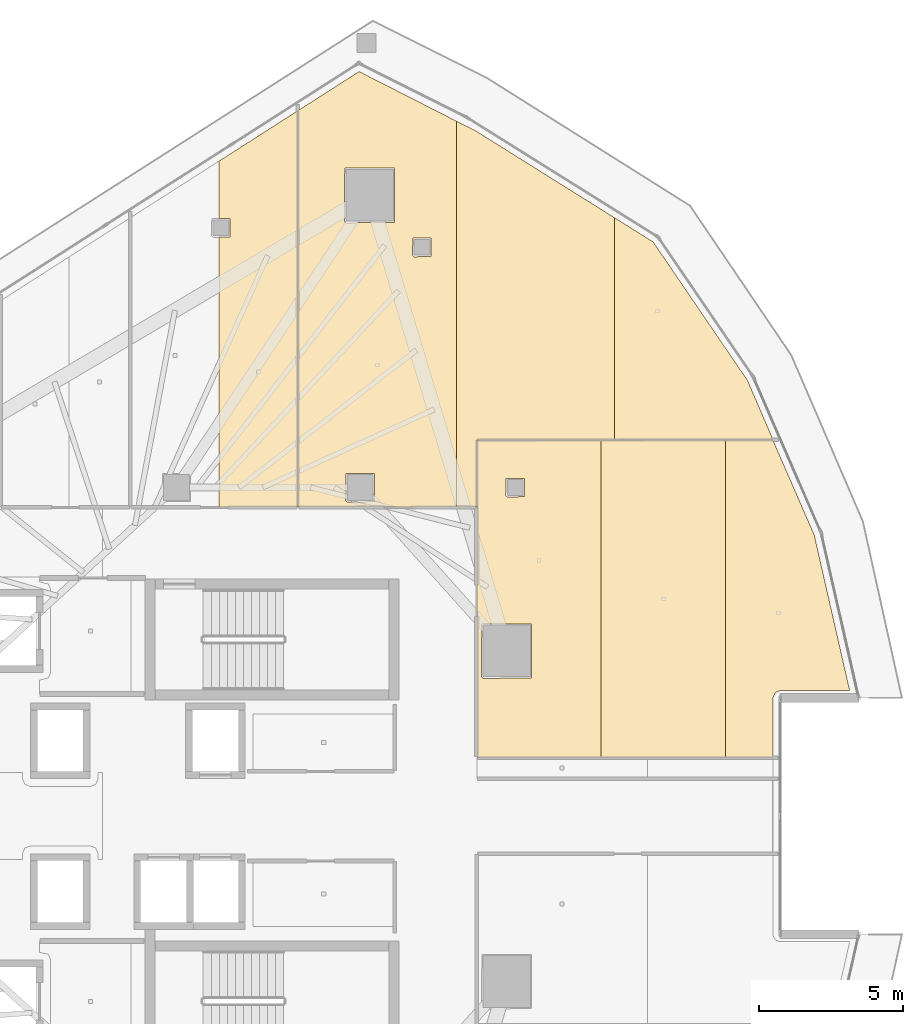
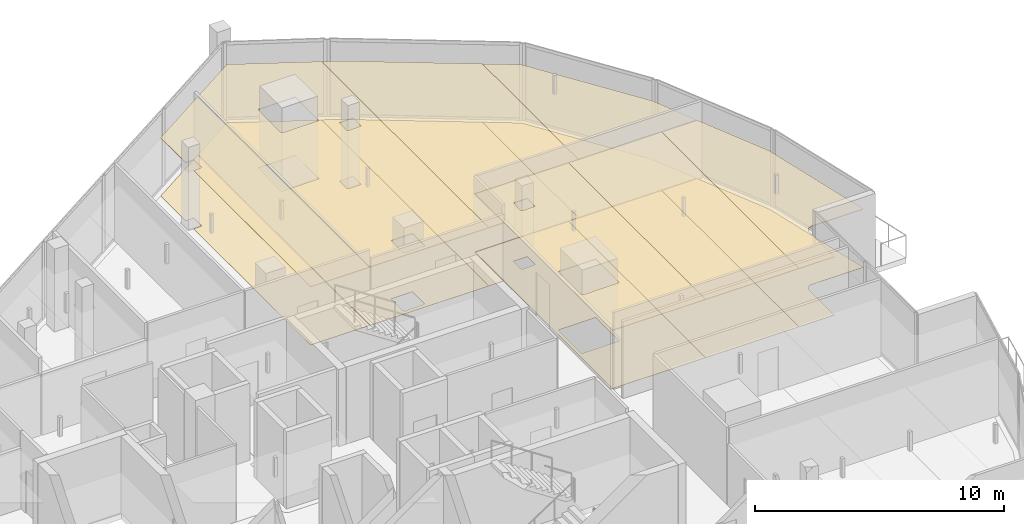
# One storey, part 32 of 32: 14 coverings.
"""IFC4 building model written with IfcOpenShell, lengths in metres."""

from ifc_helpers import new_model, si_unit, direction, frame, origin, place, context, subcontext, project, spatial, polyline, outline, extrude, material, layer, layer_set, type_object, element, save


model = new_model("IFC4")

# Units and contexts
model_context = context("Model", 3, precision=1e-05, world=origin(), true_north=direction((0.0, 1.0)))
body_context = subcontext(model_context, "Body", "Model", "MODEL_VIEW")
ifc_project = project(units=[si_unit("LENGTHUNIT", "METRE"), si_unit("AREAUNIT", "SQUARE_METRE"), si_unit("VOLUMEUNIT", "CUBIC_METRE"), si_unit("PLANEANGLEUNIT", "RADIAN"), si_unit("MASSUNIT", "GRAM", prefix="KILO")], contexts=[model_context])

# Site, building, storey
site_placement = place(None, origin())
site = spatial("IfcSite", under=ifc_project, at=site_placement, CompositionType="ELEMENT")
building_placement = place(site_placement, origin())
building = spatial("IfcBuilding", under=site, at=building_placement, Name="Qorvath Tower", CompositionType="ELEMENT")
storey_placement = place(building_placement, frame((0.0, 0.0, 233.39990234375)))
storey = spatial("IfcBuildingStorey", under=building, at=storey_placement, Name="L54", CompositionType="ELEMENT", Elevation=233.39990234375)

# Coverings
ifc_material_1 = material(Name="Acoustic mineral fibre ceiling tile", Category="gypsum")
ifc_layer_1 = layer(ifc_material_1, 0.030029296875)
ifc_layer_set_1 = layer_set([ifc_layer_1], Name="COV-CEIL")
covering_type_1 = type_object("IfcCoveringType", Name="COV-CEIL", PredefinedType="CEILING", material=ifc_layer_set_1)
covering_1_placement = place(storey_placement, frame((0.0, 0.0, 2.85009765625)))
element("IfcCovering", 1, at=covering_1_placement, inside=storey, type_object=covering_type_1, Name="L54 Suspended Acoustic Ceiling 015", PredefinedType="CEILING", context=body_context, shape_type="SweptSolid", body=[
    extrude(outline(polyline([(-22.1181640625, 22.81982421875), (-22.1181640625, 20.812255859375), (-21.73583984375, 20.812255859375), (-21.73583984375, 20.177490234375), (-22.1181640625, 20.166015625), (-22.1181640625, 10.762939453125), (-19.379150390625, 10.762939453125), (-19.379150390625, 24.5703125), (-22.1181640625, 22.81982421875)])), origin(), (0.0, 0.0, 1.0), 0.030029296875),
])
covering_2_placement = place(storey_placement, frame((0.0, 0.0, 2.85009765625)))
element("IfcCovering", 2, at=covering_2_placement, inside=storey, type_object=covering_type_1, Name="L54 Suspended Acoustic Ceiling 016", PredefinedType="CEILING", context=body_context, shape_type="SweptSolid", body=[
    extrude(outline(polyline([(-13.848876953125, 10.762939453125), (-13.848876953125, 24.20849609375), (-17.241455078125, 25.9365234375), (-19.361083984375, 24.581787109375), (-19.361083984375, 10.762939453125), (-13.848876953125, 10.762939453125)]), holes=[polyline([(-15.381103515625, 19.543212890625), (-15.363525390625, 20.135498046875), (-14.728759765625, 20.135498046875), (-14.728759765625, 19.500732421875), (-15.321044921875, 19.483154296875), (-15.381103515625, 19.543212890625)]), polyline([(-17.756591796875, 20.72705078125), (-17.739013671875, 22.569580078125), (-16.00439453125, 22.569580078125), (-16.00439453125, 20.6845703125), (-17.69677734375, 20.6669921875), (-17.756591796875, 20.72705078125)]), polyline([(-17.7099609375, 11.0), (-17.6923828125, 11.9423828125), (-16.70751953125, 11.9423828125), (-16.70751953125, 10.95751953125), (-17.64990234375, 10.93994140625), (-17.7099609375, 11.0)])]), origin(), (0.0, 0.0, 1.0), 0.030029296875),
])
covering_3_placement = place(storey_placement, frame((0.0, 0.0, 2.85009765625)))
element("IfcCovering", 3, at=covering_3_placement, inside=storey, type_object=covering_type_1, Name="L54 Suspended Acoustic Ceiling 017", PredefinedType="CEILING", context=body_context, shape_type="SweptSolid", body=[
    extrude(outline(polyline([(-13.14208984375, 23.848388671875), (-13.848876953125, 24.20849609375), (-13.848876953125, 10.762939453125), (-13.155029296875, 10.762939453125), (-13.14990234375, 13.1083984375), (-8.33642578125, 13.11181640625), (-8.33642578125, 20.840576171875), (-13.14208984375, 23.848388671875)])), origin(), (0.0, 0.0, 1.0), 0.030029296875),
])
covering_4_placement = place(storey_placement, frame((0.0, 0.0, 2.85009765625)))
element("IfcCovering", 4, at=covering_4_placement, inside=storey, type_object=covering_type_1, Name="L54 Suspended Acoustic Ceiling 018", PredefinedType="CEILING", context=body_context, shape_type="SweptSolid", body=[
    extrude(outline(polyline([(-8.33642578125, 20.840576171875), (-8.33642578125, 13.11181640625), (-2.82421875, 13.11572265625), (-3.711669921875, 15.1787109375), (-6.998291015625, 20.0029296875), (-8.33642578125, 20.840576171875)])), origin(), (0.0, 0.0, 1.0), 0.030029296875),
])
covering_5_placement = place(storey_placement, frame((0.0, 0.0, 2.85009765625)))
element("IfcCovering", 5, at=covering_5_placement, inside=storey, type_object=covering_type_1, Name="L54 Suspended Acoustic Ceiling 034", PredefinedType="CEILING", context=body_context, shape_type="SweptSolid", body=[
    extrude(outline(polyline([(-8.80859375, 2.051025390625), (-8.80859375, 13.093505859375), (-13.136962890625, 13.09033203125), (-13.136962890625, 2.051025390625), (-8.80859375, 2.051025390625)]), holes=[polyline([(-12.981689453125, 4.85791015625), (-12.964111328125, 6.700439453125), (-11.2294921875, 6.700439453125), (-11.2294921875, 4.8154296875), (-12.921875, 4.7978515625), (-12.981689453125, 4.85791015625)]), polyline([(-12.135009765625, 11.175048828125), (-12.117431640625, 11.767333984375), (-11.482666015625, 11.767333984375), (-11.482666015625, 11.132568359375), (-12.074951171875, 11.114990234375), (-12.135009765625, 11.175048828125)])]), origin(), (0.0, 0.0, 1.0), 0.030029296875),
])
covering_6_placement = place(storey_placement, frame((0.0, 0.0, 2.85009765625)))
element("IfcCovering", 6, at=covering_6_placement, inside=storey, type_object=covering_type_1, Name="L54 Suspended Acoustic Ceiling 035", PredefinedType="CEILING", context=body_context, shape_type="SweptSolid", body=[
    extrude(outline(polyline([(-4.480224609375, 2.051025390625), (-4.480224609375, 13.096435546875), (-8.80859375, 13.093505859375), (-8.80859375, 2.051025390625), (-4.480224609375, 2.051025390625)])), origin(), (0.0, 0.0, 1.0), 0.030029296875),
])
covering_7_placement = place(storey_placement, frame((0.0, 0.0, 2.85009765625)))
element("IfcCovering", 7, at=covering_7_placement, inside=storey, type_object=covering_type_1, Name="L54 Suspended Acoustic Ceiling 036", PredefinedType="CEILING", context=body_context, shape_type="SweptSolid", body=[
    extrude(outline(polyline([(-2.5771484375, 4.36962890625), (-0.15185546875, 4.369873046875), (-1.3876953125, 9.796142578125), (-2.82666015625, 13.09765625), (-4.480224609375, 13.096435546875), (-4.480224609375, 2.051025390625), (-2.830322265625, 2.051025390625), (-2.830322265625, 4.11474609375), (-2.738525390625, 4.310302734375), (-2.5771484375, 4.36962890625)])), origin(), (0.0, 0.0, 1.0), 0.030029296875),
])
ifc_material_2 = material(Name="Low-VOC modular carpet tile", Category="textile")
ifc_layer_2 = layer(ifc_material_2, 0.014892578125)
ifc_layer_set_2 = layer_set([ifc_layer_2], Name="COV-FLOOR-CPT")
covering_type_2 = type_object("IfcCoveringType", Name="COV-FLOOR-CPT", PredefinedType="FLOORING", material=ifc_layer_set_2)
covering_8_placement = place(storey_placement, origin())
element("IfcCovering", 8, at=covering_8_placement, inside=storey, type_object=covering_type_2, Name="L54 Floor Finish 015", PredefinedType="FLOORING", context=body_context, shape_type="SweptSolid", body=[
    extrude(outline(polyline([(-22.1181640625, 22.81982421875), (-22.1181640625, 20.812255859375), (-21.73583984375, 20.812255859375), (-21.73583984375, 20.177490234375), (-22.1181640625, 20.166015625), (-22.1181640625, 10.762939453125), (-19.379150390625, 10.762939453125), (-19.379150390625, 24.5703125), (-22.1181640625, 22.81982421875)])), origin(), (0.0, 0.0, 1.0), 0.01513671875),
])
covering_9_placement = place(storey_placement, origin())
element("IfcCovering", 9, at=covering_9_placement, inside=storey, type_object=covering_type_2, Name="L54 Floor Finish 016", PredefinedType="FLOORING", context=body_context, shape_type="SweptSolid", body=[
    extrude(outline(polyline([(-13.848876953125, 10.762939453125), (-13.848876953125, 24.20849609375), (-17.241455078125, 25.9365234375), (-19.361083984375, 24.581787109375), (-19.361083984375, 10.762939453125), (-13.848876953125, 10.762939453125)]), holes=[polyline([(-15.381103515625, 19.543212890625), (-15.363525390625, 20.135498046875), (-14.728759765625, 20.135498046875), (-14.728759765625, 19.500732421875), (-15.321044921875, 19.483154296875), (-15.381103515625, 19.543212890625)]), polyline([(-17.756591796875, 20.72705078125), (-17.739013671875, 22.569580078125), (-16.00439453125, 22.569580078125), (-16.00439453125, 20.6845703125), (-17.69677734375, 20.6669921875), (-17.756591796875, 20.72705078125)]), polyline([(-17.7099609375, 11.0), (-17.6923828125, 11.9423828125), (-16.70751953125, 11.9423828125), (-16.70751953125, 10.95751953125), (-17.64990234375, 10.93994140625), (-17.7099609375, 11.0)])]), origin(), (0.0, 0.0, 1.0), 0.01513671875),
])
covering_10_placement = place(storey_placement, origin())
element("IfcCovering", 10, at=covering_10_placement, inside=storey, type_object=covering_type_2, Name="L54 Floor Finish 017", PredefinedType="FLOORING", context=body_context, shape_type="SweptSolid", body=[
    extrude(outline(polyline([(-13.14208984375, 23.848388671875), (-13.848876953125, 24.20849609375), (-13.848876953125, 10.762939453125), (-13.155029296875, 10.762939453125), (-13.14990234375, 13.1083984375), (-8.33642578125, 13.11181640625), (-8.33642578125, 20.840576171875), (-13.14208984375, 23.848388671875)])), origin(), (0.0, 0.0, 1.0), 0.01513671875),
])
covering_11_placement = place(storey_placement, origin())
element("IfcCovering", 11, at=covering_11_placement, inside=storey, type_object=covering_type_2, Name="L54 Floor Finish 018", PredefinedType="FLOORING", context=body_context, shape_type="SweptSolid", body=[
    extrude(outline(polyline([(-8.33642578125, 20.840576171875), (-8.33642578125, 13.11181640625), (-2.82421875, 13.11572265625), (-3.711669921875, 15.1787109375), (-6.998291015625, 20.0029296875), (-8.33642578125, 20.840576171875)])), origin(), (0.0, 0.0, 1.0), 0.01513671875),
])
covering_12_placement = place(storey_placement, origin())
element("IfcCovering", 12, at=covering_12_placement, inside=storey, type_object=covering_type_2, Name="L54 Floor Finish 034", PredefinedType="FLOORING", context=body_context, shape_type="SweptSolid", body=[
    extrude(outline(polyline([(-8.80859375, 2.051025390625), (-8.80859375, 13.093505859375), (-13.136962890625, 13.09033203125), (-13.136962890625, 2.051025390625), (-8.80859375, 2.051025390625)]), holes=[polyline([(-12.981689453125, 4.85791015625), (-12.964111328125, 6.700439453125), (-11.2294921875, 6.700439453125), (-11.2294921875, 4.8154296875), (-12.921875, 4.7978515625), (-12.981689453125, 4.85791015625)]), polyline([(-12.135009765625, 11.175048828125), (-12.117431640625, 11.767333984375), (-11.482666015625, 11.767333984375), (-11.482666015625, 11.132568359375), (-12.074951171875, 11.114990234375), (-12.135009765625, 11.175048828125)])]), origin(), (0.0, 0.0, 1.0), 0.01513671875),
])
covering_13_placement = place(storey_placement, origin())
element("IfcCovering", 13, at=covering_13_placement, inside=storey, type_object=covering_type_2, Name="L54 Floor Finish 035", PredefinedType="FLOORING", context=body_context, shape_type="SweptSolid", body=[
    extrude(outline(polyline([(-4.480224609375, 2.051025390625), (-4.480224609375, 13.096435546875), (-8.80859375, 13.093505859375), (-8.80859375, 2.051025390625), (-4.480224609375, 2.051025390625)])), origin(), (0.0, 0.0, 1.0), 0.01513671875),
])
covering_14_placement = place(storey_placement, origin())
element("IfcCovering", 14, at=covering_14_placement, inside=storey, type_object=covering_type_2, Name="L54 Floor Finish 036", PredefinedType="FLOORING", context=body_context, shape_type="SweptSolid", body=[
    extrude(outline(polyline([(-2.5771484375, 4.36962890625), (-0.15185546875, 4.369873046875), (-1.3876953125, 9.796142578125), (-2.82666015625, 13.09765625), (-4.480224609375, 13.096435546875), (-4.480224609375, 2.051025390625), (-2.830322265625, 2.051025390625), (-2.830322265625, 4.11474609375), (-2.738525390625, 4.310302734375), (-2.5771484375, 4.36962890625)])), origin(), (0.0, 0.0, 1.0), 0.01513671875),
])

save(model, "model.ifc")
